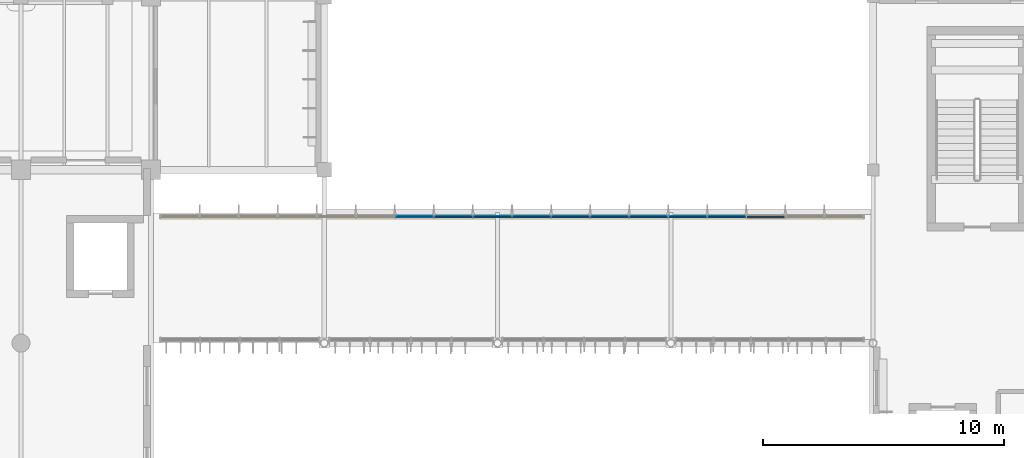
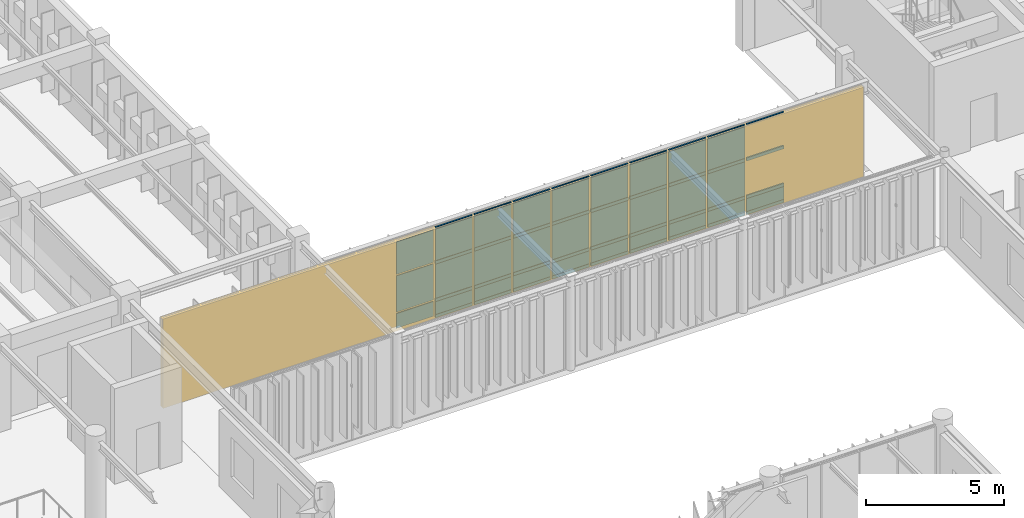
# One storey, part 92 of 122: 36 members, 28 plates, plus 1 element that does not belong to this part.
"""IFC4 building model written with IfcOpenShell, lengths in metres."""

from ifc_helpers import new_model, si_unit, direction, frame, frame_2d, origin, origin_2d, place, context, subcontext, project, spatial, rectangle, extrude, material, layer, layer_set, material_profile, profile_set, type_object, element, aggregate, save


model = new_model("IFC4")

# Units and contexts
model_context = context("Model", 3, precision=1e-05, world=origin(), true_north=direction((0.0, 1.0)))
body_context = subcontext(model_context, "Body", "Model", "MODEL_VIEW")
ifc_project = project(units=[si_unit("LENGTHUNIT", "METRE"), si_unit("AREAUNIT", "SQUARE_METRE"), si_unit("VOLUMEUNIT", "CUBIC_METRE"), si_unit("PLANEANGLEUNIT", "RADIAN"), si_unit("MASSUNIT", "GRAM", prefix="KILO")], contexts=[model_context])

# Member
ifc_material_1 = material(Name="Anodised Bronze Aluminium 6063-T6", Category="aluminium")
ifc_material_profile = material_profile(ifc_material_1, rectangle(XDim=0.06005859375, YDim=0.139892578125, at=origin_2d()), Name="ALU TRANSOM 60x140")
ifc_profile_set = profile_set([ifc_material_profile], Name="Anodised Bronze Aluminium 6063-T6")
member_type = type_object("IfcMemberType", Name="Curtain-Wall Transom 60x140", PredefinedType="USERDEFINED", material=ifc_profile_set)
site_placement = place(None, origin())
building_placement = place(site_placement, origin())
storey_placement = place(building_placement, frame((0.0, 0.0, 4.800048828125)))
member_1_placement = place(storey_placement, frame((107.190673828125, 49.85009765625, 0.0400390625), z_axis=(1.0, 0.0, 0.0), x_axis=(0.0, 1.0, 0.0)))
member_1 = element("IfcMember", 1, at=member_1_placement, type_object=member_type, Name="Transom CWT-01 CW-ELNK-N-L01-T08.1", ObjectType="TRANSOM", PredefinedType="USERDEFINED", context=body_context, shape_type="SweptSolid", body=[
    extrude(rectangle(XDim=0.06005859375, YDim=0.139892578125, at=origin_2d()), origin(), (0.0, 0.0, 1.0), 1.55224609375),
])

member_2_placement = place(storey_placement, frame((107.190673828125, 49.85009765625, 0.75), z_axis=(1.0, 0.0, 0.0), x_axis=(0.0, 1.0, 0.0)))
member_2 = element("IfcMember", 2, at=member_2_placement, type_object=member_type, Name="Transom CWT-01 CW-ELNK-N-L01-T08.2", ObjectType="TRANSOM", PredefinedType="USERDEFINED", context=body_context, shape_type="SweptSolid", body=[
    extrude(rectangle(XDim=0.06005859375, YDim=0.139892578125, at=origin_2d()), origin(), (0.0, 0.0, 1.0), 1.55224609375),
])

member_3_placement = place(storey_placement, frame((107.190673828125, 49.85009765625, 2.40869140625), z_axis=(1.0, 0.0, 0.0), x_axis=(0.0, 1.0, 0.0)))
member_3 = element("IfcMember", 3, at=member_3_placement, type_object=member_type, Name="Transom CWT-01 CW-ELNK-N-L01-T08.3", ObjectType="TRANSOM", PredefinedType="USERDEFINED", context=body_context, shape_type="SweptSolid", body=[
    extrude(rectangle(XDim=0.06005859375, YDim=0.139892578125, at=origin_2d()), origin(), (0.0, 0.0, 1.0), 1.55224609375),
])

member_4_placement = place(storey_placement, frame((107.190673828125, 49.85009765625, 3.89990234375), z_axis=(1.0, 0.0, 0.0), x_axis=(0.0, 1.0, 0.0)))
member_4 = element("IfcMember", 4, at=member_4_placement, type_object=member_type, Name="Transom CWT-01 CW-ELNK-N-L01-T08.4", ObjectType="TRANSOM", PredefinedType="USERDEFINED", context=body_context, shape_type="SweptSolid", body=[
    extrude(rectangle(XDim=0.06005859375, YDim=0.139892578125, at=origin_2d()), origin(), (0.0, 0.0, 1.0), 1.55224609375),
])

member_5_placement = place(storey_placement, frame((108.812744140625, 49.85009765625, 0.0400390625), z_axis=(1.0, 0.0, 0.0), x_axis=(0.0, 1.0, 0.0)))
member_5 = element("IfcMember", 5, at=member_5_placement, type_object=member_type, Name="Transom CWT-01 CW-ELNK-N-L01-T09.1", ObjectType="TRANSOM", PredefinedType="USERDEFINED", context=body_context, shape_type="SweptSolid", body=[
    extrude(rectangle(XDim=0.06005859375, YDim=0.139892578125, at=origin_2d()), origin(), (0.0, 0.0, 1.0), 1.55224609375),
])

member_6_placement = place(storey_placement, frame((108.812744140625, 49.85009765625, 0.75), z_axis=(1.0, 0.0, 0.0), x_axis=(0.0, 1.0, 0.0)))
member_6 = element("IfcMember", 6, at=member_6_placement, type_object=member_type, Name="Transom CWT-01 CW-ELNK-N-L01-T09.2", ObjectType="TRANSOM", PredefinedType="USERDEFINED", context=body_context, shape_type="SweptSolid", body=[
    extrude(rectangle(XDim=0.06005859375, YDim=0.139892578125, at=origin_2d()), origin(), (0.0, 0.0, 1.0), 1.55224609375),
])

member_7_placement = place(storey_placement, frame((108.812744140625, 49.85009765625, 2.40869140625), z_axis=(1.0, 0.0, 0.0), x_axis=(0.0, 1.0, 0.0)))
member_7 = element("IfcMember", 7, at=member_7_placement, type_object=member_type, Name="Transom CWT-01 CW-ELNK-N-L01-T09.3", ObjectType="TRANSOM", PredefinedType="USERDEFINED", context=body_context, shape_type="SweptSolid", body=[
    extrude(rectangle(XDim=0.06005859375, YDim=0.139892578125, at=origin_2d()), origin(), (0.0, 0.0, 1.0), 1.55224609375),
])

member_8_placement = place(storey_placement, frame((108.812744140625, 49.85009765625, 3.89990234375), z_axis=(1.0, 0.0, 0.0), x_axis=(0.0, 1.0, 0.0)))
member_8 = element("IfcMember", 8, at=member_8_placement, type_object=member_type, Name="Transom CWT-01 CW-ELNK-N-L01-T09.4", ObjectType="TRANSOM", PredefinedType="USERDEFINED", context=body_context, shape_type="SweptSolid", body=[
    extrude(rectangle(XDim=0.06005859375, YDim=0.139892578125, at=origin_2d()), origin(), (0.0, 0.0, 1.0), 1.55224609375),
])

member_9_placement = place(storey_placement, frame((110.43505859375, 49.85009765625, 0.0400390625), z_axis=(1.0, 0.0, 0.0), x_axis=(0.0, 1.0, 0.0)))
member_9 = element("IfcMember", 9, at=member_9_placement, type_object=member_type, Name="Transom CWT-01 CW-ELNK-N-L01-T10.1", ObjectType="TRANSOM", PredefinedType="USERDEFINED", context=body_context, shape_type="SweptSolid", body=[
    extrude(rectangle(XDim=0.06005859375, YDim=0.139892578125, at=origin_2d()), origin(), (0.0, 0.0, 1.0), 1.55224609375),
])

member_10_placement = place(storey_placement, frame((110.43505859375, 49.85009765625, 0.75), z_axis=(1.0, 0.0, 0.0), x_axis=(0.0, 1.0, 0.0)))
member_10 = element("IfcMember", 10, at=member_10_placement, type_object=member_type, Name="Transom CWT-01 CW-ELNK-N-L01-T10.2", ObjectType="TRANSOM", PredefinedType="USERDEFINED", context=body_context, shape_type="SweptSolid", body=[
    extrude(rectangle(XDim=0.06005859375, YDim=0.139892578125, at=origin_2d()), origin(), (0.0, 0.0, 1.0), 1.55224609375),
])

member_11_placement = place(storey_placement, frame((110.43505859375, 49.85009765625, 2.40869140625), z_axis=(1.0, 0.0, 0.0), x_axis=(0.0, 1.0, 0.0)))
member_11 = element("IfcMember", 11, at=member_11_placement, type_object=member_type, Name="Transom CWT-01 CW-ELNK-N-L01-T10.3", ObjectType="TRANSOM", PredefinedType="USERDEFINED", context=body_context, shape_type="SweptSolid", body=[
    extrude(rectangle(XDim=0.06005859375, YDim=0.139892578125, at=origin_2d()), origin(), (0.0, 0.0, 1.0), 1.55224609375),
])

member_12_placement = place(storey_placement, frame((110.43505859375, 49.85009765625, 3.89990234375), z_axis=(1.0, 0.0, 0.0), x_axis=(0.0, 1.0, 0.0)))
member_12 = element("IfcMember", 12, at=member_12_placement, type_object=member_type, Name="Transom CWT-01 CW-ELNK-N-L01-T10.4", ObjectType="TRANSOM", PredefinedType="USERDEFINED", context=body_context, shape_type="SweptSolid", body=[
    extrude(rectangle(XDim=0.06005859375, YDim=0.139892578125, at=origin_2d()), origin(), (0.0, 0.0, 1.0), 1.55224609375),
])

member_13_placement = place(storey_placement, frame((112.05712890625, 49.85009765625, 0.0400390625), z_axis=(1.0, 0.0, 0.0), x_axis=(0.0, 1.0, 0.0)))
member_13 = element("IfcMember", 13, at=member_13_placement, type_object=member_type, Name="Transom CWT-01 CW-ELNK-N-L01-T11.1", ObjectType="TRANSOM", PredefinedType="USERDEFINED", context=body_context, shape_type="SweptSolid", body=[
    extrude(rectangle(XDim=0.06005859375, YDim=0.139892578125, at=origin_2d()), origin(), (0.0, 0.0, 1.0), 1.55224609375),
])

member_14_placement = place(storey_placement, frame((112.05712890625, 49.85009765625, 0.75), z_axis=(1.0, 0.0, 0.0), x_axis=(0.0, 1.0, 0.0)))
member_14 = element("IfcMember", 14, at=member_14_placement, type_object=member_type, Name="Transom CWT-01 CW-ELNK-N-L01-T11.2", ObjectType="TRANSOM", PredefinedType="USERDEFINED", context=body_context, shape_type="SweptSolid", body=[
    extrude(rectangle(XDim=0.06005859375, YDim=0.139892578125, at=origin_2d()), origin(), (0.0, 0.0, 1.0), 1.55224609375),
])

member_15_placement = place(storey_placement, frame((112.05712890625, 49.85009765625, 2.40869140625), z_axis=(1.0, 0.0, 0.0), x_axis=(0.0, 1.0, 0.0)))
member_15 = element("IfcMember", 15, at=member_15_placement, type_object=member_type, Name="Transom CWT-01 CW-ELNK-N-L01-T11.3", ObjectType="TRANSOM", PredefinedType="USERDEFINED", context=body_context, shape_type="SweptSolid", body=[
    extrude(rectangle(XDim=0.06005859375, YDim=0.139892578125, at=origin_2d()), origin(), (0.0, 0.0, 1.0), 1.55224609375),
])

member_16_placement = place(storey_placement, frame((112.05712890625, 49.85009765625, 3.89990234375), z_axis=(1.0, 0.0, 0.0), x_axis=(0.0, 1.0, 0.0)))
member_16 = element("IfcMember", 16, at=member_16_placement, type_object=member_type, Name="Transom CWT-01 CW-ELNK-N-L01-T11.4", ObjectType="TRANSOM", PredefinedType="USERDEFINED", context=body_context, shape_type="SweptSolid", body=[
    extrude(rectangle(XDim=0.06005859375, YDim=0.139892578125, at=origin_2d()), origin(), (0.0, 0.0, 1.0), 1.55224609375),
])

member_17_placement = place(storey_placement, frame((113.679443359375, 49.85009765625, 0.0400390625), z_axis=(1.0, 0.0, 0.0), x_axis=(0.0, 1.0, 0.0)))
member_17 = element("IfcMember", 17, at=member_17_placement, type_object=member_type, Name="Transom CWT-01 CW-ELNK-N-L01-T12.1", ObjectType="TRANSOM", PredefinedType="USERDEFINED", context=body_context, shape_type="SweptSolid", body=[
    extrude(rectangle(XDim=0.06005859375, YDim=0.139892578125, at=origin_2d()), origin(), (0.0, 0.0, 1.0), 1.55224609375),
])

member_18_placement = place(storey_placement, frame((113.679443359375, 49.85009765625, 0.75), z_axis=(1.0, 0.0, 0.0), x_axis=(0.0, 1.0, 0.0)))
member_18 = element("IfcMember", 18, at=member_18_placement, type_object=member_type, Name="Transom CWT-01 CW-ELNK-N-L01-T12.2", ObjectType="TRANSOM", PredefinedType="USERDEFINED", context=body_context, shape_type="SweptSolid", body=[
    extrude(rectangle(XDim=0.06005859375, YDim=0.139892578125, at=origin_2d()), origin(), (0.0, 0.0, 1.0), 1.55224609375),
])

member_19_placement = place(storey_placement, frame((113.679443359375, 49.85009765625, 2.40869140625), z_axis=(1.0, 0.0, 0.0), x_axis=(0.0, 1.0, 0.0)))
member_19 = element("IfcMember", 19, at=member_19_placement, type_object=member_type, Name="Transom CWT-01 CW-ELNK-N-L01-T12.3", ObjectType="TRANSOM", PredefinedType="USERDEFINED", context=body_context, shape_type="SweptSolid", body=[
    extrude(rectangle(XDim=0.06005859375, YDim=0.139892578125, at=origin_2d()), origin(), (0.0, 0.0, 1.0), 1.55224609375),
])

member_20_placement = place(storey_placement, frame((113.679443359375, 49.85009765625, 3.89990234375), z_axis=(1.0, 0.0, 0.0), x_axis=(0.0, 1.0, 0.0)))
member_20 = element("IfcMember", 20, at=member_20_placement, type_object=member_type, Name="Transom CWT-01 CW-ELNK-N-L01-T12.4", ObjectType="TRANSOM", PredefinedType="USERDEFINED", context=body_context, shape_type="SweptSolid", body=[
    extrude(rectangle(XDim=0.06005859375, YDim=0.139892578125, at=origin_2d()), origin(), (0.0, 0.0, 1.0), 1.55224609375),
])

member_21_placement = place(storey_placement, frame((115.3017578125, 49.85009765625, 0.0400390625), z_axis=(1.0, 0.0, 0.0), x_axis=(0.0, 1.0, 0.0)))
member_21 = element("IfcMember", 21, at=member_21_placement, type_object=member_type, Name="Transom CWT-01 CW-ELNK-N-L01-T13.1", ObjectType="TRANSOM", PredefinedType="USERDEFINED", context=body_context, shape_type="SweptSolid", body=[
    extrude(rectangle(XDim=0.06005859375, YDim=0.139892578125, at=origin_2d()), origin(), (0.0, 0.0, 1.0), 1.55224609375),
])

member_22_placement = place(storey_placement, frame((115.3017578125, 49.85009765625, 0.75), z_axis=(1.0, 0.0, 0.0), x_axis=(0.0, 1.0, 0.0)))
member_22 = element("IfcMember", 22, at=member_22_placement, type_object=member_type, Name="Transom CWT-01 CW-ELNK-N-L01-T13.2", ObjectType="TRANSOM", PredefinedType="USERDEFINED", context=body_context, shape_type="SweptSolid", body=[
    extrude(rectangle(XDim=0.06005859375, YDim=0.139892578125, at=origin_2d()), origin(), (0.0, 0.0, 1.0), 1.55224609375),
])

member_23_placement = place(storey_placement, frame((115.3017578125, 49.85009765625, 2.40869140625), z_axis=(1.0, 0.0, 0.0), x_axis=(0.0, 1.0, 0.0)))
member_23 = element("IfcMember", 23, at=member_23_placement, type_object=member_type, Name="Transom CWT-01 CW-ELNK-N-L01-T13.3", ObjectType="TRANSOM", PredefinedType="USERDEFINED", context=body_context, shape_type="SweptSolid", body=[
    extrude(rectangle(XDim=0.06005859375, YDim=0.139892578125, at=origin_2d()), origin(), (0.0, 0.0, 1.0), 1.55224609375),
])

member_24_placement = place(storey_placement, frame((115.3017578125, 49.85009765625, 3.89990234375), z_axis=(1.0, 0.0, 0.0), x_axis=(0.0, 1.0, 0.0)))
member_24 = element("IfcMember", 24, at=member_24_placement, type_object=member_type, Name="Transom CWT-01 CW-ELNK-N-L01-T13.4", ObjectType="TRANSOM", PredefinedType="USERDEFINED", context=body_context, shape_type="SweptSolid", body=[
    extrude(rectangle(XDim=0.06005859375, YDim=0.139892578125, at=origin_2d()), origin(), (0.0, 0.0, 1.0), 1.55224609375),
])

member_25_placement = place(storey_placement, frame((116.923828125, 49.85009765625, 0.0400390625), z_axis=(1.0, 0.0, 0.0), x_axis=(0.0, 1.0, 0.0)))
member_25 = element("IfcMember", 25, at=member_25_placement, type_object=member_type, Name="Transom CWT-01 CW-ELNK-N-L01-T14.1", ObjectType="TRANSOM", PredefinedType="USERDEFINED", context=body_context, shape_type="SweptSolid", body=[
    extrude(rectangle(XDim=0.06005859375, YDim=0.139892578125, at=origin_2d()), origin(), (0.0, 0.0, 1.0), 1.55224609375),
])

member_26_placement = place(storey_placement, frame((116.923828125, 49.85009765625, 0.75), z_axis=(1.0, 0.0, 0.0), x_axis=(0.0, 1.0, 0.0)))
member_26 = element("IfcMember", 26, at=member_26_placement, type_object=member_type, Name="Transom CWT-01 CW-ELNK-N-L01-T14.2", ObjectType="TRANSOM", PredefinedType="USERDEFINED", context=body_context, shape_type="SweptSolid", body=[
    extrude(rectangle(XDim=0.06005859375, YDim=0.139892578125, at=origin_2d()), origin(), (0.0, 0.0, 1.0), 1.55224609375),
])

member_27_placement = place(storey_placement, frame((116.923828125, 49.85009765625, 2.40869140625), z_axis=(1.0, 0.0, 0.0), x_axis=(0.0, 1.0, 0.0)))
member_27 = element("IfcMember", 27, at=member_27_placement, type_object=member_type, Name="Transom CWT-01 CW-ELNK-N-L01-T14.3", ObjectType="TRANSOM", PredefinedType="USERDEFINED", context=body_context, shape_type="SweptSolid", body=[
    extrude(rectangle(XDim=0.06005859375, YDim=0.139892578125, at=origin_2d()), origin(), (0.0, 0.0, 1.0), 1.55224609375),
])

member_28_placement = place(storey_placement, frame((116.923828125, 49.85009765625, 3.89990234375), z_axis=(1.0, 0.0, 0.0), x_axis=(0.0, 1.0, 0.0)))
member_28 = element("IfcMember", 28, at=member_28_placement, type_object=member_type, Name="Transom CWT-01 CW-ELNK-N-L01-T14.4", ObjectType="TRANSOM", PredefinedType="USERDEFINED", context=body_context, shape_type="SweptSolid", body=[
    extrude(rectangle(XDim=0.06005859375, YDim=0.139892578125, at=origin_2d()), origin(), (0.0, 0.0, 1.0), 1.55224609375),
])

member_29_placement = place(storey_placement, frame((118.546142578125, 49.85009765625, 0.0400390625), z_axis=(1.0, 0.0, 0.0), x_axis=(0.0, 1.0, 0.0)))
member_29 = element("IfcMember", 29, at=member_29_placement, type_object=member_type, Name="Transom CWT-01 CW-ELNK-N-L01-T15.1", ObjectType="TRANSOM", PredefinedType="USERDEFINED", context=body_context, shape_type="SweptSolid", body=[
    extrude(rectangle(XDim=0.06005859375, YDim=0.139892578125, at=origin_2d()), origin(), (0.0, 0.0, 1.0), 1.55224609375),
])

member_30_placement = place(storey_placement, frame((118.546142578125, 49.85009765625, 0.75), z_axis=(1.0, 0.0, 0.0), x_axis=(0.0, 1.0, 0.0)))
member_30 = element("IfcMember", 30, at=member_30_placement, type_object=member_type, Name="Transom CWT-01 CW-ELNK-N-L01-T15.2", ObjectType="TRANSOM", PredefinedType="USERDEFINED", context=body_context, shape_type="SweptSolid", body=[
    extrude(rectangle(XDim=0.06005859375, YDim=0.139892578125, at=origin_2d()), origin(), (0.0, 0.0, 1.0), 1.55224609375),
])

member_31_placement = place(storey_placement, frame((118.546142578125, 49.85009765625, 2.40869140625), z_axis=(1.0, 0.0, 0.0), x_axis=(0.0, 1.0, 0.0)))
member_31 = element("IfcMember", 31, at=member_31_placement, type_object=member_type, Name="Transom CWT-01 CW-ELNK-N-L01-T15.3", ObjectType="TRANSOM", PredefinedType="USERDEFINED", context=body_context, shape_type="SweptSolid", body=[
    extrude(rectangle(XDim=0.06005859375, YDim=0.139892578125, at=origin_2d()), origin(), (0.0, 0.0, 1.0), 1.55224609375),
])

member_32_placement = place(storey_placement, frame((118.546142578125, 49.85009765625, 3.89990234375), z_axis=(1.0, 0.0, 0.0), x_axis=(0.0, 1.0, 0.0)))
member_32 = element("IfcMember", 32, at=member_32_placement, type_object=member_type, Name="Transom CWT-01 CW-ELNK-N-L01-T15.4", ObjectType="TRANSOM", PredefinedType="USERDEFINED", context=body_context, shape_type="SweptSolid", body=[
    extrude(rectangle(XDim=0.06005859375, YDim=0.139892578125, at=origin_2d()), origin(), (0.0, 0.0, 1.0), 1.55224609375),
])

member_33_placement = place(storey_placement, frame((120.168212890625, 49.85009765625, 0.0400390625), z_axis=(1.0, 0.0, 0.0), x_axis=(0.0, 1.0, 0.0)))
member_33 = element("IfcMember", 33, at=member_33_placement, type_object=member_type, Name="Transom CWT-01 CW-ELNK-N-L01-T16.1", ObjectType="TRANSOM", PredefinedType="USERDEFINED", context=body_context, shape_type="SweptSolid", body=[
    extrude(rectangle(XDim=0.06005859375, YDim=0.139892578125, at=origin_2d()), origin(), (0.0, 0.0, 1.0), 1.552490234375),
])

member_34_placement = place(storey_placement, frame((120.168212890625, 49.85009765625, 0.75), z_axis=(1.0, 0.0, 0.0), x_axis=(0.0, 1.0, 0.0)))
member_34 = element("IfcMember", 34, at=member_34_placement, type_object=member_type, Name="Transom CWT-01 CW-ELNK-N-L01-T16.2", ObjectType="TRANSOM", PredefinedType="USERDEFINED", context=body_context, shape_type="SweptSolid", body=[
    extrude(rectangle(XDim=0.06005859375, YDim=0.139892578125, at=origin_2d()), origin(), (0.0, 0.0, 1.0), 1.552490234375),
])

member_35_placement = place(storey_placement, frame((120.168212890625, 49.85009765625, 2.40869140625), z_axis=(1.0, 0.0, 0.0), x_axis=(0.0, 1.0, 0.0)))
member_35 = element("IfcMember", 35, at=member_35_placement, type_object=member_type, Name="Transom CWT-01 CW-ELNK-N-L01-T16.3", ObjectType="TRANSOM", PredefinedType="USERDEFINED", context=body_context, shape_type="SweptSolid", body=[
    extrude(rectangle(XDim=0.06005859375, YDim=0.139892578125, at=origin_2d()), origin(), (0.0, 0.0, 1.0), 1.552490234375),
])

member_36_placement = place(storey_placement, frame((120.168212890625, 49.85009765625, 3.89990234375), z_axis=(1.0, 0.0, 0.0), x_axis=(0.0, 1.0, 0.0)))
member_36 = element("IfcMember", 36, at=member_36_placement, type_object=member_type, Name="Transom CWT-01 CW-ELNK-N-L01-T16.4", ObjectType="TRANSOM", PredefinedType="USERDEFINED", context=body_context, shape_type="SweptSolid", body=[
    extrude(rectangle(XDim=0.06005859375, YDim=0.139892578125, at=origin_2d()), origin(), (0.0, 0.0, 1.0), 1.552490234375),
])

# Plate
ifc_material_2 = material(Name="Insulated Bronze Aluminium Spandrel Panel", Category="aluminium")
ifc_layer_1 = layer(ifc_material_2, 0.050048828125, Name="Insulated Bronze Aluminium Spandrel Panel")
ifc_layer_set_1 = layer_set([ifc_layer_1], Name="Insulated Bronze Aluminium Spandrel Panel")
plate_type_1 = type_object("IfcPlateType", Name="Insulated Anodised Aluminium Spandrel Cassette 50", PredefinedType="CURTAIN_PANEL", material=ifc_layer_set_1)
plate_1_placement = place(storey_placement, frame((106.344482421875, 49.85009765625, 0.070068359375), z_axis=(0.0, 0.0, 1.0), x_axis=(1.0, 0.0, 0.0)))
plate_1 = element("IfcPlate", 37, at=plate_1_placement, type_object=plate_type_1, Name="Curtain Panel CWP-03 CW-ELNK-N-L01-P07.1", PredefinedType="CURTAIN_PANEL", context=body_context, shape_type="SweptSolid", body=[
    extrude(rectangle(XDim=1.55224609375, YDim=0.050048828125, at=origin_2d()), origin(), (0.0, 0.0, 1.0), 0.64990234375),
])

plate_2_placement = place(storey_placement, frame((107.966796875, 49.85009765625, 0.070068359375), z_axis=(0.0, 0.0, 1.0), x_axis=(1.0, 0.0, 0.0)))
plate_2 = element("IfcPlate", 38, at=plate_2_placement, type_object=plate_type_1, Name="Curtain Panel CWP-03 CW-ELNK-N-L01-P08.1", PredefinedType="CURTAIN_PANEL", context=body_context, shape_type="SweptSolid", body=[
    extrude(rectangle(XDim=1.55224609375, YDim=0.050048828125, at=origin_2d()), origin(), (0.0, 0.0, 1.0), 0.64990234375),
])

plate_3_placement = place(storey_placement, frame((109.5888671875, 49.85009765625, 0.070068359375), z_axis=(0.0, 0.0, 1.0), x_axis=(1.0, 0.0, 0.0)))
plate_3 = element("IfcPlate", 39, at=plate_3_placement, type_object=plate_type_1, Name="Curtain Panel CWP-03 CW-ELNK-N-L01-P09.1", PredefinedType="CURTAIN_PANEL", context=body_context, shape_type="SweptSolid", body=[
    extrude(rectangle(XDim=1.55224609375, YDim=0.050048828125, at=origin_2d()), origin(), (0.0, 0.0, 1.0), 0.64990234375),
])

plate_4_placement = place(storey_placement, frame((111.211181640625, 49.85009765625, 0.070068359375), z_axis=(0.0, 0.0, 1.0), x_axis=(1.0, 0.0, 0.0)))
plate_4 = element("IfcPlate", 40, at=plate_4_placement, type_object=plate_type_1, Name="Curtain Panel CWP-03 CW-ELNK-N-L01-P10.1", PredefinedType="CURTAIN_PANEL", context=body_context, shape_type="SweptSolid", body=[
    extrude(rectangle(XDim=1.55224609375, YDim=0.050048828125, at=origin_2d()), origin(), (0.0, 0.0, 1.0), 0.64990234375),
])

plate_5_placement = place(storey_placement, frame((112.833251953125, 49.85009765625, 0.070068359375), z_axis=(0.0, 0.0, 1.0), x_axis=(1.0, 0.0, 0.0)))
plate_5 = element("IfcPlate", 41, at=plate_5_placement, type_object=plate_type_1, Name="Curtain Panel CWP-03 CW-ELNK-N-L01-P11.1", PredefinedType="CURTAIN_PANEL", context=body_context, shape_type="SweptSolid", body=[
    extrude(rectangle(XDim=1.55224609375, YDim=0.050048828125, at=origin_2d()), origin(), (0.0, 0.0, 1.0), 0.64990234375),
])

plate_6_placement = place(storey_placement, frame((114.45556640625, 49.85009765625, 0.070068359375), z_axis=(0.0, 0.0, 1.0), x_axis=(1.0, 0.0, 0.0)))
plate_6 = element("IfcPlate", 42, at=plate_6_placement, type_object=plate_type_1, Name="Curtain Panel CWP-03 CW-ELNK-N-L01-P12.1", PredefinedType="CURTAIN_PANEL", context=body_context, shape_type="SweptSolid", body=[
    extrude(rectangle(XDim=1.55224609375, YDim=0.050048828125, at=origin_2d()), origin(), (0.0, 0.0, 1.0), 0.64990234375),
])

plate_7_placement = place(storey_placement, frame((116.077880859375, 49.85009765625, 0.070068359375), z_axis=(0.0, 0.0, 1.0), x_axis=(1.0, 0.0, 0.0)))
plate_7 = element("IfcPlate", 43, at=plate_7_placement, type_object=plate_type_1, Name="Curtain Panel CWP-03 CW-ELNK-N-L01-P13.1", PredefinedType="CURTAIN_PANEL", context=body_context, shape_type="SweptSolid", body=[
    extrude(rectangle(XDim=1.55224609375, YDim=0.050048828125, at=origin_2d()), origin(), (0.0, 0.0, 1.0), 0.64990234375),
])

plate_8_placement = place(storey_placement, frame((117.699951171875, 49.85009765625, 0.070068359375), z_axis=(0.0, 0.0, 1.0), x_axis=(1.0, 0.0, 0.0)))
plate_8 = element("IfcPlate", 44, at=plate_8_placement, type_object=plate_type_1, Name="Curtain Panel CWP-03 CW-ELNK-N-L01-P14.1", PredefinedType="CURTAIN_PANEL", context=body_context, shape_type="SweptSolid", body=[
    extrude(rectangle(XDim=1.55224609375, YDim=0.050048828125, at=origin_2d()), origin(), (0.0, 0.0, 1.0), 0.64990234375),
])

plate_9_placement = place(storey_placement, frame((119.322265625, 49.85009765625, 0.070068359375), z_axis=(0.0, 0.0, 1.0), x_axis=(1.0, 0.0, 0.0)))
plate_9 = element("IfcPlate", 45, at=plate_9_placement, type_object=plate_type_1, Name="Curtain Panel CWP-03 CW-ELNK-N-L01-P15.1", PredefinedType="CURTAIN_PANEL", context=body_context, shape_type="SweptSolid", body=[
    extrude(rectangle(XDim=1.55224609375, YDim=0.050048828125, at=origin_2d()), origin(), (0.0, 0.0, 1.0), 0.64990234375),
])

plate_10_placement = place(storey_placement, frame((120.9443359375, 49.85009765625, 0.070068359375), z_axis=(0.0, 0.0, 1.0), x_axis=(1.0, 0.0, 0.0)))
plate_10 = element("IfcPlate", 46, at=plate_10_placement, type_object=plate_type_1, Name="Curtain Panel CWP-03 CW-ELNK-N-L01-P16.1", PredefinedType="CURTAIN_PANEL", context=body_context, shape_type="SweptSolid", body=[
    extrude(rectangle(XDim=1.55224609375, YDim=0.050048828125, at=origin_2d()), origin(), (0.0, 0.0, 1.0), 0.64990234375),
])

ifc_material_3 = material(Name="Solar-Control Tempered Double Glazing", Category="glass")
ifc_layer_2 = layer(ifc_material_3, 0.0380859375, Name="Solar-Control Tempered Double Glazing")
ifc_layer_set_2 = layer_set([ifc_layer_2], Name="Solar-Control Tempered Double Glazing")
plate_type_2 = type_object("IfcPlateType", Name="Solar-Control Vision Glazing Unit 38", PredefinedType="CURTAIN_PANEL", material=ifc_layer_set_2)
plate_11_placement = place(storey_placement, frame((106.344482421875, 49.85009765625, 0.77978515625), z_axis=(0.0, 0.0, 1.0), x_axis=(1.0, 0.0, 0.0)))
plate_11 = element("IfcPlate", 47, at=plate_11_placement, type_object=plate_type_2, Name="Curtain Panel CWP-02 CW-ELNK-N-L01-P07.2", PredefinedType="CURTAIN_PANEL", context=body_context, shape_type="SweptSolid", body=[
    extrude(rectangle(XDim=1.55224609375, YDim=0.0380859375, at=origin_2d()), origin(), (0.0, 0.0, 1.0), 1.598876953125),
])

plate_12_placement = place(storey_placement, frame((106.344482421875, 49.85009765625, 2.438720703125), z_axis=(0.0, 0.0, 1.0), x_axis=(1.0, 0.0, 0.0)))
plate_12 = element("IfcPlate", 48, at=plate_12_placement, type_object=plate_type_2, Name="Curtain Panel CWP-02 CW-ELNK-N-L01-P07.3", PredefinedType="CURTAIN_PANEL", context=body_context, shape_type="SweptSolid", body=[
    extrude(rectangle(XDim=1.55224609375, YDim=0.0380859375, at=origin_2d()), origin(), (0.0, 0.0, 1.0), 1.43115234375),
])

plate_13_placement = place(storey_placement, frame((107.966796875, 49.85009765625, 0.77978515625), z_axis=(0.0, 0.0, 1.0), x_axis=(1.0, 0.0, 0.0)))
plate_13 = element("IfcPlate", 49, at=plate_13_placement, type_object=plate_type_2, Name="Curtain Panel CWP-02 CW-ELNK-N-L01-P08.2", PredefinedType="CURTAIN_PANEL", context=body_context, shape_type="SweptSolid", body=[
    extrude(rectangle(XDim=1.55224609375, YDim=0.0380859375, at=origin_2d()), origin(), (0.0, 0.0, 1.0), 1.598876953125),
])

plate_14_placement = place(storey_placement, frame((107.966796875, 49.85009765625, 2.438720703125), z_axis=(0.0, 0.0, 1.0), x_axis=(1.0, 0.0, 0.0)))
plate_14 = element("IfcPlate", 50, at=plate_14_placement, type_object=plate_type_2, Name="Curtain Panel CWP-02 CW-ELNK-N-L01-P08.3", PredefinedType="CURTAIN_PANEL", context=body_context, shape_type="SweptSolid", body=[
    extrude(rectangle(XDim=1.55224609375, YDim=0.0380859375, at=origin_2d()), origin(), (0.0, 0.0, 1.0), 1.43115234375),
])

plate_15_placement = place(storey_placement, frame((109.5888671875, 49.85009765625, 0.77978515625), z_axis=(0.0, 0.0, 1.0), x_axis=(1.0, 0.0, 0.0)))
plate_15 = element("IfcPlate", 51, at=plate_15_placement, type_object=plate_type_2, Name="Curtain Panel CWP-02 CW-ELNK-N-L01-P09.2", PredefinedType="CURTAIN_PANEL", context=body_context, shape_type="SweptSolid", body=[
    extrude(rectangle(XDim=1.55224609375, YDim=0.0380859375, at=origin_2d()), origin(), (0.0, 0.0, 1.0), 1.598876953125),
])

plate_16_placement = place(storey_placement, frame((109.5888671875, 49.85009765625, 2.438720703125), z_axis=(0.0, 0.0, 1.0), x_axis=(1.0, 0.0, 0.0)))
plate_16 = element("IfcPlate", 52, at=plate_16_placement, type_object=plate_type_2, Name="Curtain Panel CWP-02 CW-ELNK-N-L01-P09.3", PredefinedType="CURTAIN_PANEL", context=body_context, shape_type="SweptSolid", body=[
    extrude(rectangle(XDim=1.55224609375, YDim=0.0380859375, at=origin_2d()), origin(), (0.0, 0.0, 1.0), 1.43115234375),
])

plate_17_placement = place(storey_placement, frame((111.211181640625, 49.85009765625, 0.77978515625), z_axis=(0.0, 0.0, 1.0), x_axis=(1.0, 0.0, 0.0)))
plate_17 = element("IfcPlate", 53, at=plate_17_placement, type_object=plate_type_2, Name="Curtain Panel CWP-02 CW-ELNK-N-L01-P10.2", PredefinedType="CURTAIN_PANEL", context=body_context, shape_type="SweptSolid", body=[
    extrude(rectangle(XDim=1.55224609375, YDim=0.0380859375, at=origin_2d()), origin(), (0.0, 0.0, 1.0), 1.598876953125),
])

plate_18_placement = place(storey_placement, frame((111.211181640625, 49.85009765625, 2.438720703125), z_axis=(0.0, 0.0, 1.0), x_axis=(1.0, 0.0, 0.0)))
plate_18 = element("IfcPlate", 54, at=plate_18_placement, type_object=plate_type_2, Name="Curtain Panel CWP-02 CW-ELNK-N-L01-P10.3", PredefinedType="CURTAIN_PANEL", context=body_context, shape_type="SweptSolid", body=[
    extrude(rectangle(XDim=1.55224609375, YDim=0.0380859375, at=origin_2d()), origin(), (0.0, 0.0, 1.0), 1.43115234375),
])

plate_19_placement = place(storey_placement, frame((112.833251953125, 49.85009765625, 0.77978515625), z_axis=(0.0, 0.0, 1.0), x_axis=(1.0, 0.0, 0.0)))
plate_19 = element("IfcPlate", 55, at=plate_19_placement, type_object=plate_type_2, Name="Curtain Panel CWP-02 CW-ELNK-N-L01-P11.2", PredefinedType="CURTAIN_PANEL", context=body_context, shape_type="SweptSolid", body=[
    extrude(rectangle(XDim=1.55224609375, YDim=0.0380859375, at=origin_2d()), origin(), (0.0, 0.0, 1.0), 1.598876953125),
])

plate_20_placement = place(storey_placement, frame((112.833251953125, 49.85009765625, 2.438720703125), z_axis=(0.0, 0.0, 1.0), x_axis=(1.0, 0.0, 0.0)))
plate_20 = element("IfcPlate", 56, at=plate_20_placement, type_object=plate_type_2, Name="Curtain Panel CWP-02 CW-ELNK-N-L01-P11.3", PredefinedType="CURTAIN_PANEL", context=body_context, shape_type="SweptSolid", body=[
    extrude(rectangle(XDim=1.55224609375, YDim=0.0380859375, at=origin_2d()), origin(), (0.0, 0.0, 1.0), 1.43115234375),
])

plate_21_placement = place(storey_placement, frame((114.45556640625, 49.85009765625, 0.77978515625), z_axis=(0.0, 0.0, 1.0), x_axis=(1.0, 0.0, 0.0)))
plate_21 = element("IfcPlate", 57, at=plate_21_placement, type_object=plate_type_2, Name="Curtain Panel CWP-02 CW-ELNK-N-L01-P12.2", PredefinedType="CURTAIN_PANEL", context=body_context, shape_type="SweptSolid", body=[
    extrude(rectangle(XDim=1.55224609375, YDim=0.0380859375, at=origin_2d()), origin(), (0.0, 0.0, 1.0), 1.598876953125),
])

plate_22_placement = place(storey_placement, frame((114.45556640625, 49.85009765625, 2.438720703125), z_axis=(0.0, 0.0, 1.0), x_axis=(1.0, 0.0, 0.0)))
plate_22 = element("IfcPlate", 58, at=plate_22_placement, type_object=plate_type_2, Name="Curtain Panel CWP-02 CW-ELNK-N-L01-P12.3", PredefinedType="CURTAIN_PANEL", context=body_context, shape_type="SweptSolid", body=[
    extrude(rectangle(XDim=1.55224609375, YDim=0.0380859375, at=origin_2d()), origin(), (0.0, 0.0, 1.0), 1.43115234375),
])

plate_23_placement = place(storey_placement, frame((116.077880859375, 49.85009765625, 0.77978515625), z_axis=(0.0, 0.0, 1.0), x_axis=(1.0, 0.0, 0.0)))
plate_23 = element("IfcPlate", 59, at=plate_23_placement, type_object=plate_type_2, Name="Curtain Panel CWP-02 CW-ELNK-N-L01-P13.2", PredefinedType="CURTAIN_PANEL", context=body_context, shape_type="SweptSolid", body=[
    extrude(rectangle(XDim=1.55224609375, YDim=0.0380859375, at=origin_2d()), origin(), (0.0, 0.0, 1.0), 1.598876953125),
])

plate_24_placement = place(storey_placement, frame((116.077880859375, 49.85009765625, 2.438720703125), z_axis=(0.0, 0.0, 1.0), x_axis=(1.0, 0.0, 0.0)))
plate_24 = element("IfcPlate", 60, at=plate_24_placement, type_object=plate_type_2, Name="Curtain Panel CWP-02 CW-ELNK-N-L01-P13.3", PredefinedType="CURTAIN_PANEL", context=body_context, shape_type="SweptSolid", body=[
    extrude(rectangle(XDim=1.55224609375, YDim=0.0380859375, at=origin_2d()), origin(), (0.0, 0.0, 1.0), 1.43115234375),
])

plate_25_placement = place(storey_placement, frame((117.699951171875, 49.85009765625, 0.77978515625), z_axis=(0.0, 0.0, 1.0), x_axis=(1.0, 0.0, 0.0)))
plate_25 = element("IfcPlate", 61, at=plate_25_placement, type_object=plate_type_2, Name="Curtain Panel CWP-02 CW-ELNK-N-L01-P14.2", PredefinedType="CURTAIN_PANEL", context=body_context, shape_type="SweptSolid", body=[
    extrude(rectangle(XDim=1.55224609375, YDim=0.0380859375, at=origin_2d()), origin(), (0.0, 0.0, 1.0), 1.598876953125),
])

plate_26_placement = place(storey_placement, frame((117.699951171875, 49.85009765625, 2.438720703125), z_axis=(0.0, 0.0, 1.0), x_axis=(1.0, 0.0, 0.0)))
plate_26 = element("IfcPlate", 62, at=plate_26_placement, type_object=plate_type_2, Name="Curtain Panel CWP-02 CW-ELNK-N-L01-P14.3", PredefinedType="CURTAIN_PANEL", context=body_context, shape_type="SweptSolid", body=[
    extrude(rectangle(XDim=1.55224609375, YDim=0.0380859375, at=origin_2d()), origin(), (0.0, 0.0, 1.0), 1.43115234375),
])

plate_27_placement = place(storey_placement, frame((119.322265625, 49.85009765625, 0.77978515625), z_axis=(0.0, 0.0, 1.0), x_axis=(1.0, 0.0, 0.0)))
plate_27 = element("IfcPlate", 63, at=plate_27_placement, type_object=plate_type_2, Name="Curtain Panel CWP-02 CW-ELNK-N-L01-P15.2", PredefinedType="CURTAIN_PANEL", context=body_context, shape_type="SweptSolid", body=[
    extrude(rectangle(XDim=1.55224609375, YDim=0.0380859375, at=origin_2d()), origin(), (0.0, 0.0, 1.0), 1.598876953125),
])

plate_28_placement = place(storey_placement, frame((119.322265625, 49.85009765625, 2.438720703125), z_axis=(0.0, 0.0, 1.0), x_axis=(1.0, 0.0, 0.0)))
plate_28 = element("IfcPlate", 64, at=plate_28_placement, type_object=plate_type_2, Name="Curtain Panel CWP-02 CW-ELNK-N-L01-P15.3", PredefinedType="CURTAIN_PANEL", context=body_context, shape_type="SweptSolid", body=[
    extrude(rectangle(XDim=1.55224609375, YDim=0.0380859375, at=origin_2d()), origin(), (0.0, 0.0, 1.0), 1.43115234375),
])

# Site, building, storey
site = spatial("IfcSite", under=ifc_project, at=site_placement, CompositionType="ELEMENT")
building = spatial("IfcBuilding", under=site, at=building_placement, Name="Tazoul Stagehouse", CompositionType="ELEMENT")
storey = spatial("IfcBuildingStorey", under=building, at=storey_placement, Name="L01", CompositionType="ELEMENT", Elevation=4.800048828125)

# Curtain wall
curtain_wall_type = type_object("IfcCurtainWallType", Name="Atrium Clerestory Glazed Wall", PredefinedType="NOTDEFINED", material=ifc_material_1)
curtain_wall_placement = place(storey_placement, frame((95.800048828125, 49.85009765625, 0.0), z_axis=(0.0, 0.0, 1.0), x_axis=(1.0, 0.0, 0.0)))
curtain_wall = element("IfcCurtainWall", 65, at=curtain_wall_placement, inside=storey, type_object=curtain_wall_type, Name="L01 Curtain Wall CW-05 (CW-ELNK-N-L01)", PredefinedType="NOTDEFINED", context=body_context, shape_type="SweptSolid", body=[
    extrude(rectangle(XDim=29.199951171875, YDim=0.179931640625, at=frame_2d((14.60009765625, 0.0))), origin(), (0.0, 0.0, 1.0), 3.93994140625),
])

aggregate(curtain_wall, [plate_1, plate_11, plate_12, member_1, member_2, member_3, member_4, plate_2, plate_13, plate_14, member_5, member_6, member_7, member_8, plate_3, plate_15, plate_16, member_9, member_10, member_11, member_12, plate_4, plate_17, plate_18, member_13, member_14, member_15, member_16, plate_5, plate_19, plate_20, member_17, member_18, member_19, member_20, plate_6, plate_21, plate_22, member_21, member_22, member_23, member_24, plate_7, plate_23, plate_24, member_25, member_26, member_27, member_28, plate_8, plate_25, plate_26, member_29, member_30, member_31, member_32, plate_9, plate_27, plate_28, member_33, member_34, member_35, member_36, plate_10])

save(model, "model.ifc")
